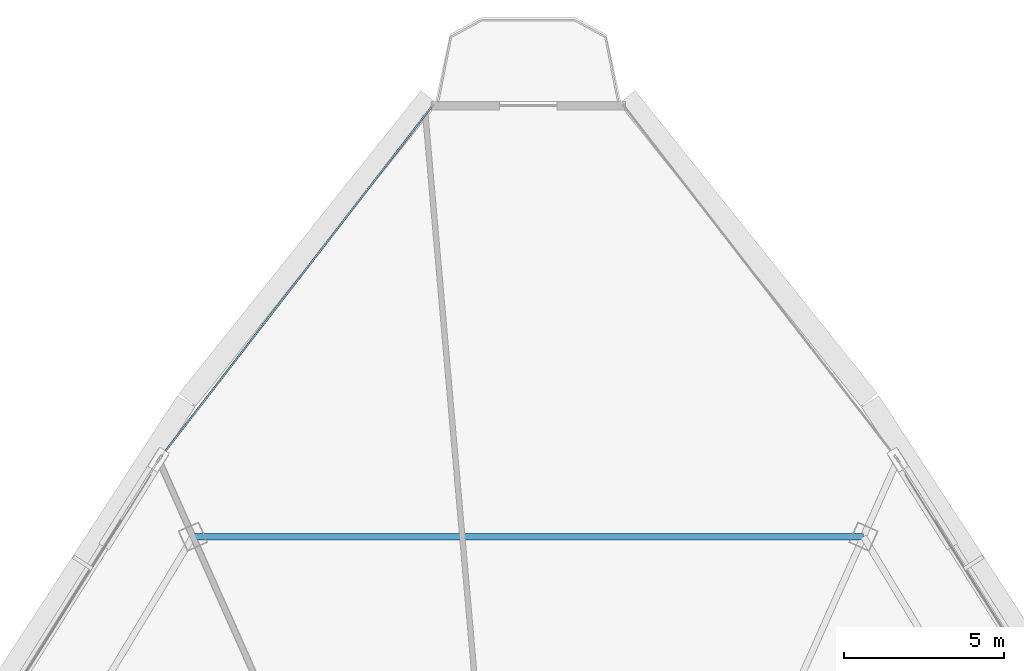
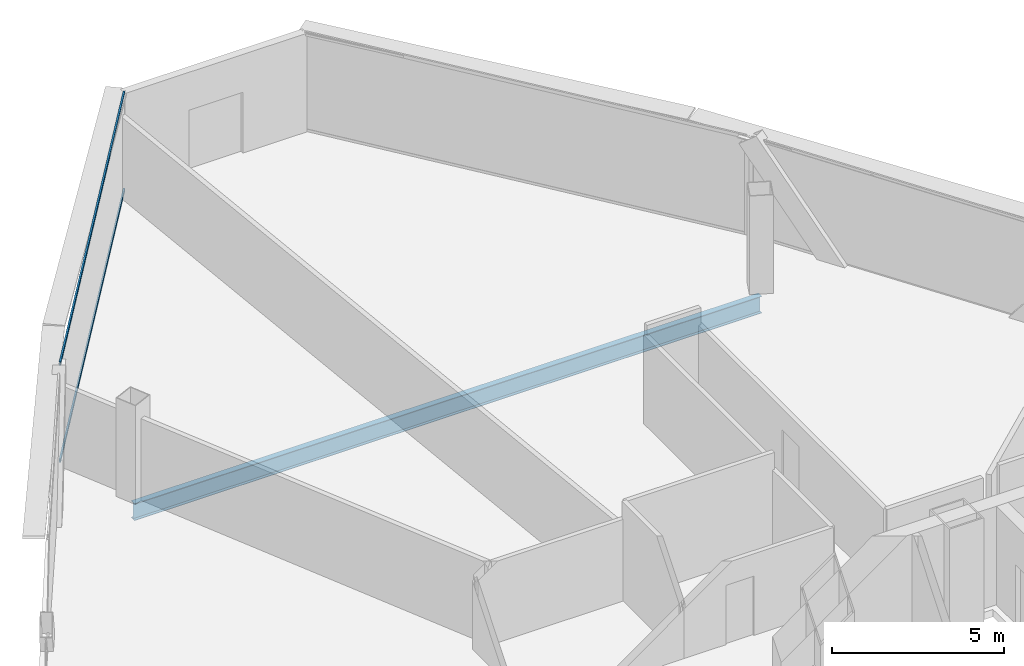
# One storey, part 18 of 30: 2 members, 1 beam, 1 element without a shape of its own.
"""IFC4 building model written with IfcOpenShell, lengths in metres."""

from ifc_helpers import new_model, si_unit, direction, frame, origin, origin_2d, place, context, subcontext, project, spatial, hollow_rectangle, i_section, extrude, source, transform, mapped, material, layer, layer_set, material_profile, profile_set, type_object, element, aggregate, save


model = new_model("IFC4")

# Units and contexts
model_context = context("Model", 3, precision=1e-05, world=origin(), true_north=direction((0.0, 1.0)))
body_context = subcontext(model_context, "Body", "Model", "MODEL_VIEW")
ifc_project = project(units=[si_unit("LENGTHUNIT", "METRE"), si_unit("AREAUNIT", "SQUARE_METRE"), si_unit("VOLUMEUNIT", "CUBIC_METRE"), si_unit("PLANEANGLEUNIT", "RADIAN"), si_unit("MASSUNIT", "GRAM", prefix="KILO"), si_unit("THERMODYNAMICTEMPERATUREUNIT", "KELVIN"), si_unit("POWERUNIT", "WATT")], contexts=[model_context])

# Site, building, storey
site_placement = place(None, origin())
site = spatial("IfcSite", under=ifc_project, at=site_placement, CompositionType="ELEMENT")
building_placement = place(site_placement, origin())
building = spatial("IfcBuilding", under=site, at=building_placement, Name="Yunzhuo Pagoda Commons", CompositionType="ELEMENT")
storey_placement = place(building_placement, frame((0.0, 0.0, 348.010009765625)))
storey = spatial("IfcBuildingStorey", under=building, at=storey_placement, Name="L87", CompositionType="ELEMENT", Elevation=348.010009765625)

# Beam
ifc_material_1 = material(Name="Structural steel Q355B", Category="steel")
ifc_material_profile_1 = material_profile(ifc_material_1, i_section(OverallWidth=0.199951171875, OverallDepth=0.60009765625, WebThickness=0.010986328125, FlangeThickness=0.01708984375, at=origin_2d()), Name="Structural steel Q355B")
ifc_profile_set_1 = profile_set([ifc_material_profile_1], Name="Structural steel Q355B")
beam_type = type_object("IfcBeamType", Name="B-RG3 Beam HN 600x200x11x17", PredefinedType="BEAM", material=ifc_profile_set_1)
shared_shape_1 = source(origin(), body_context, "Body", "SweptSolid", [
    extrude(i_section(OverallWidth=0.199951171875, OverallDepth=0.60009765625, WebThickness=0.010986328125, FlangeThickness=0.01708984375, at=origin_2d()), origin(), (0.0, 0.0, 1.0), 20.99755859375),
])
beam_placement = place(storey_placement, frame((58.498779296875, 57.281005859375, -0.56005859375), z_axis=(-1.0, 0.0, 0.0), x_axis=(0.0, -1.0, 0.0)))
element("IfcBeam", 1, at=beam_placement, inside=storey, type_object=beam_type, Name="L87 column-ring beam 8", PredefinedType="BEAM", context=body_context, shape_type="MappedRepresentation", body=[
    mapped(shared_shape_1, transform((0.0, 0.0, 0.0), scale=1.0)),
])

# Curtain wall, members
ifc_material_2 = material(Name="Anodized aluminium 6063-T6", Category="aluminium")
ifc_layer = layer(ifc_material_2, 0.139892578125)
ifc_layer_set = layer_set([ifc_layer], Name="Anodized aluminium 6063-T6")
curtain_wall_type = type_object("IfcCurtainWallType", Name="CW-HI High-Zone Ribbon Curtain Wall", PredefinedType="NOTDEFINED", material=ifc_layer_set)
curtain_wall_placement = place(storey_placement, origin())
curtain_wall = element("IfcCurtainWall", 2, at=curtain_wall_placement, inside=storey, type_object=curtain_wall_type, Name="L87 curtain wall CW-L87-F3B1", PredefinedType="NOTDEFINED")
ifc_material_profile_2 = material_profile(ifc_material_2, hollow_rectangle(XDim=0.054931640625, YDim=0.1201171875, WallThickness=0.00341796875, at=origin_2d()), Name="Anodized aluminium 6063-T6")
ifc_profile_set_2 = profile_set([ifc_material_profile_2], Name="Anodized aluminium 6063-T6")
member_type = type_object("IfcMemberType", Name="CW-HI-T Transom RHS 120x55x3.5", PredefinedType="USERDEFINED", material=ifc_profile_set_2)
shared_shape_2 = source(origin(), body_context, "Body", "SweptSolid", [
    extrude(hollow_rectangle(XDim=0.054931640625, YDim=0.1201171875, WallThickness=0.00341796875, at=origin_2d()), origin(), (0.0, 0.0, 1.0), 13.8232421875),
])
member_1_placement = place(storey_placement, frame((44.968994140625, 70.7314453125, 0.027587890625), z_axis=(-0.61190884163, -0.790928296077, 0.0), x_axis=(0.790928296077, -0.61190884163, 0.0)))
member_1 = element("IfcMember", 3, at=member_1_placement, type_object=member_type, Name="CW transom 1.1", ObjectType="TRANSOM", PredefinedType="USERDEFINED", context=body_context, shape_type="MappedRepresentation", body=[
    mapped(shared_shape_2, transform((0.0, 0.0, 0.0), scale=1.0)),
])
member_2_placement = place(storey_placement, frame((44.968994140625, 70.7314453125, 3.46240234375), z_axis=(-0.61190884163, -0.790928296077, 0.0), x_axis=(0.790928296077, -0.61190884163, 0.0)))
member_2 = element("IfcMember", 4, at=member_2_placement, type_object=member_type, Name="CW transom 1.2", ObjectType="TRANSOM", PredefinedType="USERDEFINED", context=body_context, shape_type="MappedRepresentation", body=[
    mapped(shared_shape_2, transform((0.0, 0.0, 0.0), scale=1.0)),
])
aggregate(curtain_wall, [member_1, member_2])

save(model, "model.ifc")
